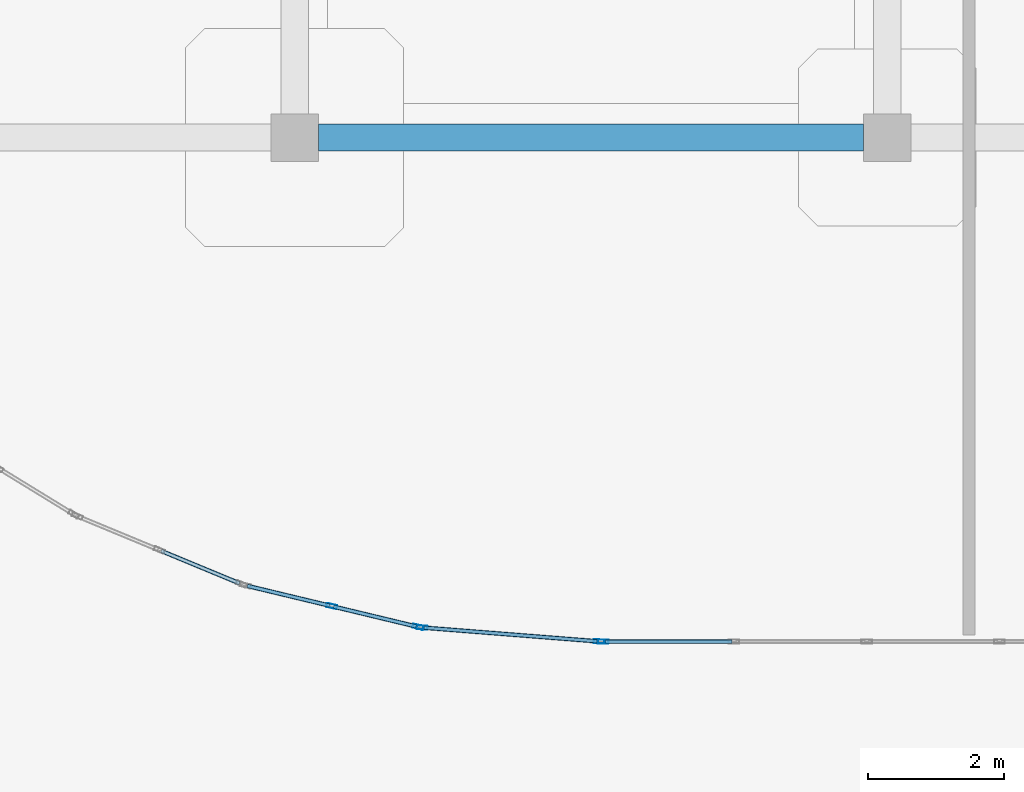
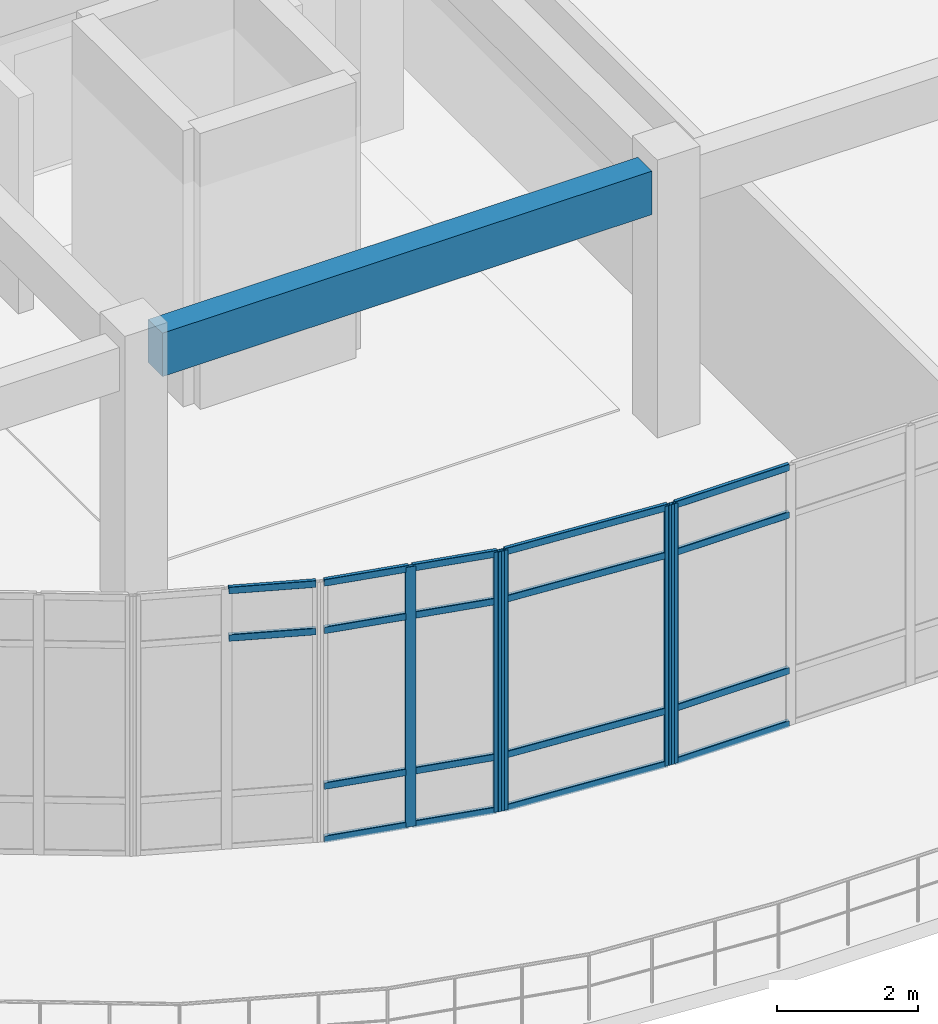
# One storey, part 5 of 64: 23 members, 1 beam, 4 elements without a shape of their own.
"""IFC4 building model written with IfcOpenShell, lengths in metres."""

from ifc_helpers import new_model, si_unit, derived_unit, direction, frame, origin, origin_2d, place, context, subcontext, project, spatial, rectangle, hollow_rectangle, extrude, material, layer, layer_set, material_profile, profile_set, type_object, element, aggregate, save


model = new_model("IFC4")

# Units and contexts
model_context = context("Model", 3, precision=1e-05, world=origin(), true_north=direction((0.0, 1.0)))
body_context = subcontext(model_context, "Body", "Model", "MODEL_VIEW")
ifc_project = project(units=[si_unit("LENGTHUNIT", "METRE"), si_unit("AREAUNIT", "SQUARE_METRE"), si_unit("VOLUMEUNIT", "CUBIC_METRE"), si_unit("PLANEANGLEUNIT", "RADIAN"), si_unit("MASSUNIT", "GRAM", prefix="KILO"), derived_unit("THERMALTRANSMITTANCEUNIT", [(si_unit("MASSUNIT", "GRAM", prefix="KILO"), 1), (si_unit("TIMEUNIT", "SECOND"), -3), (si_unit("THERMODYNAMICTEMPERATUREUNIT", "KELVIN"), -1)])], contexts=[model_context])

# Site, building, storey
site_placement = place(None, origin())
site = spatial("IfcSite", under=ifc_project, at=site_placement, CompositionType="ELEMENT")
building_placement = place(site_placement, origin())
building = spatial("IfcBuilding", under=site, at=building_placement, Name="Qinzheling Arcade Emporium", CompositionType="ELEMENT")
storey_placement = place(building_placement, frame((0.0, 0.0, 31.5)))
storey = spatial("IfcBuildingStorey", under=building, at=storey_placement, Name="L07", CompositionType="ELEMENT", Elevation=31.5)

# Curtain wall, member
ifc_material_1 = material(Name="Anodised aluminium and solar-control double glazing", Category="aluminium")
ifc_layer_1 = layer(ifc_material_1, 0.159912109375, Name="Anodised aluminium and solar-control double glazing", Category="aluminium")
ifc_layer_set_1 = layer_set([ifc_layer_1], Name="Anodised aluminium and solar-control double glazing")
curtain_wall_type_1 = type_object("IfcCurtainWallType", Name="Arcade Portal Glazed Curtain Wall", PredefinedType="NOTDEFINED", material=ifc_layer_set_1)
curtain_wall_1_placement = place(storey_placement, origin())
curtain_wall_1 = element("IfcCurtainWall", 1, at=curtain_wall_1_placement, inside=storey, type_object=curtain_wall_type_1, Name="Curtain Wall CW-L07-400", PredefinedType="NOTDEFINED")
ifc_material_2 = material(Name="Anodised aluminium 6063-T6", Category="aluminium")
ifc_material_profile_1 = material_profile(ifc_material_2, hollow_rectangle(XDim=0.06005859375, YDim=0.159912109375, WallThickness=0.00390625, InnerFilletRadius=0.00390625, OuterFilletRadius=0.008056640625, at=origin_2d()), Name="RHS 160x60x4", Category="aluminium")
ifc_profile_set_1 = profile_set([ifc_material_profile_1], Name="Anodised aluminium 6063-T6")
member_type_1 = type_object("IfcMemberType", Name="Curtain Wall Mullion RHS160x60", PredefinedType="MULLION", material=ifc_profile_set_1)
member_1_placement = place(storey_placement, frame((30.6298828125, 17.800048828125, 0.0), z_axis=(0.0, 0.0, 1.0), x_axis=(0.0, -1.0, 0.0)))
member_1 = element("IfcMember", 2, at=member_1_placement, type_object=member_type_1, Name="CW05 mullion 5", PredefinedType="MULLION", context=body_context, shape_type="SweptSolid", body=[
    extrude(hollow_rectangle(XDim=0.06005859375, YDim=0.159912109375, WallThickness=0.00390625, InnerFilletRadius=0.00390625, OuterFilletRadius=0.008056640625, at=origin_2d()), origin(), (0.0, 0.0, 1.0), 4.489990234375),
])

# Curtain wall, members
curtain_wall_2_placement = place(storey_placement, origin())
curtain_wall_2 = element("IfcCurtainWall", 3, at=curtain_wall_2_placement, inside=storey, type_object=curtain_wall_type_1, Name="Curtain Wall CW-L07-401", PredefinedType="NOTDEFINED")
member_2_placement = place(storey_placement, frame((30.570068359375, 17.80224609375, 0.0), z_axis=(0.0, 0.0, 1.0), x_axis=(-0.07835929421, -0.996925183256, 0.0)))
member_2 = element("IfcMember", 4, at=member_2_placement, type_object=member_type_1, Name="CW05 mullion 1", PredefinedType="MULLION", context=body_context, shape_type="SweptSolid", body=[
    extrude(hollow_rectangle(XDim=0.06005859375, YDim=0.159912109375, WallThickness=0.00390625, InnerFilletRadius=0.00390625, OuterFilletRadius=0.008056640625, at=origin_2d()), origin(), (0.0, 0.0, 1.0), 4.489990234375),
])
member_3_placement = place(storey_placement, frame((27.970947265625, 18.006591796875, 0.0), z_axis=(0.0, 0.0, 1.0), x_axis=(-0.07835929421, -0.996925183256, 0.0)))
member_3 = element("IfcMember", 5, at=member_3_placement, type_object=member_type_1, Name="CW05 mullion 2", PredefinedType="MULLION", context=body_context, shape_type="SweptSolid", body=[
    extrude(hollow_rectangle(XDim=0.06005859375, YDim=0.159912109375, WallThickness=0.00390625, InnerFilletRadius=0.00390625, OuterFilletRadius=0.008056640625, at=origin_2d()), origin(), (0.0, 0.0, 1.0), 4.489990234375),
])

ifc_layer_2 = layer(ifc_material_1, 0.159912109375, Name="Anodised aluminium and solar-control double glazing", Category="aluminium")
ifc_layer_set_2 = layer_set([ifc_layer_2], Name="Anodised aluminium and solar-control double glazing")
curtain_wall_type_2 = type_object("IfcCurtainWallType", Name="Curved Ribbon Sales Curtain Wall", PredefinedType="NOTDEFINED", material=ifc_layer_set_2)
curtain_wall_3_placement = place(storey_placement, origin())
curtain_wall_3 = element("IfcCurtainWall", 6, at=curtain_wall_3_placement, inside=storey, type_object=curtain_wall_type_2, Name="Curtain Wall CW-L07-402", PredefinedType="NOTDEFINED")
member_4_placement = place(storey_placement, frame((27.911865234375, 18.01611328125, 0.0), z_axis=(0.0, 0.0, 1.0), x_axis=(-0.233528898914, -0.97234986161, 0.0)))
member_4 = element("IfcMember", 7, at=member_4_placement, type_object=member_type_1, Name="CW02 mullion 1", PredefinedType="MULLION", context=body_context, shape_type="SweptSolid", body=[
    extrude(hollow_rectangle(XDim=0.06005859375, YDim=0.159912109375, WallThickness=0.00390625, InnerFilletRadius=0.00390625, OuterFilletRadius=0.008056640625, at=origin_2d()), origin(), (0.0, 0.0, 1.0), 4.489990234375),
])
member_5_placement = place(storey_placement, frame((26.64404296875, 18.320556640625, 0.0), z_axis=(0.0, 0.0, 1.0), x_axis=(-0.233528898914, -0.97234986161, 0.0)))
member_5 = element("IfcMember", 8, at=member_5_placement, type_object=member_type_1, Name="CW02 mullion 2", PredefinedType="MULLION", context=body_context, shape_type="SweptSolid", body=[
    extrude(hollow_rectangle(XDim=0.06005859375, YDim=0.159912109375, WallThickness=0.00390625, InnerFilletRadius=0.00390625, OuterFilletRadius=0.008056640625, at=origin_2d()), origin(), (0.0, 0.0, 1.0), 4.489990234375),
])

# Member
ifc_material_profile_2 = material_profile(ifc_material_2, hollow_rectangle(XDim=0.06005859375, YDim=0.1201171875, WallThickness=0.00390625, InnerFilletRadius=0.00390625, OuterFilletRadius=0.008056640625, at=origin_2d()), Name="RHS 120x60x4", Category="aluminium")
ifc_profile_set_2 = profile_set([ifc_material_profile_2], Name="Anodised aluminium 6063-T6")
member_type_2 = type_object("IfcMemberType", Name="Curtain Wall Transom RHS120x60", PredefinedType="USERDEFINED", material=ifc_profile_set_2)
member_6_placement = place(storey_placement, frame((32.51953125, 17.800048828125, 0.030029296875), z_axis=(-1.0, 0.0, 0.0), x_axis=(0.0, -1.0, 0.0)))
member_6 = element("IfcMember", 9, at=member_6_placement, type_object=member_type_2, Name="CW05 transom 4.1", ObjectType="TRANSOM", PredefinedType="USERDEFINED", context=body_context, shape_type="SweptSolid", body=[
    extrude(hollow_rectangle(XDim=0.06005859375, YDim=0.1201171875, WallThickness=0.00390625, InnerFilletRadius=0.00390625, OuterFilletRadius=0.008056640625, at=origin_2d()), origin(), (0.0, 0.0, 1.0), 1.859619140625),
])

member_7_placement = place(storey_placement, frame((32.51953125, 17.800048828125, 0.949951171875), z_axis=(-1.0, 0.0, 0.0), x_axis=(0.0, -1.0, 0.0)))
member_7 = element("IfcMember", 10, at=member_7_placement, type_object=member_type_2, Name="CW05 transom 4.2", ObjectType="TRANSOM", PredefinedType="USERDEFINED", context=body_context, shape_type="SweptSolid", body=[
    extrude(hollow_rectangle(XDim=0.06005859375, YDim=0.1201171875, WallThickness=0.00390625, InnerFilletRadius=0.00390625, OuterFilletRadius=0.008056640625, at=origin_2d()), origin(), (0.0, 0.0, 1.0), 1.859619140625),
])

member_8_placement = place(storey_placement, frame((32.51953125, 17.800048828125, 3.639892578125), z_axis=(-1.0, 0.0, 0.0), x_axis=(0.0, -1.0, 0.0)))
member_8 = element("IfcMember", 11, at=member_8_placement, type_object=member_type_2, Name="CW05 transom 4.3", ObjectType="TRANSOM", PredefinedType="USERDEFINED", context=body_context, shape_type="SweptSolid", body=[
    extrude(hollow_rectangle(XDim=0.06005859375, YDim=0.1201171875, WallThickness=0.00390625, InnerFilletRadius=0.00390625, OuterFilletRadius=0.008056640625, at=origin_2d()), origin(), (0.0, 0.0, 1.0), 1.859619140625),
])

member_9_placement = place(storey_placement, frame((32.51953125, 17.800048828125, 4.4599609375), z_axis=(-1.0, 0.0, 0.0), x_axis=(0.0, -1.0, 0.0)))
member_9 = element("IfcMember", 12, at=member_9_placement, type_object=member_type_2, Name="CW05 transom 4.4", ObjectType="TRANSOM", PredefinedType="USERDEFINED", context=body_context, shape_type="SweptSolid", body=[
    extrude(hollow_rectangle(XDim=0.06005859375, YDim=0.1201171875, WallThickness=0.00390625, InnerFilletRadius=0.00390625, OuterFilletRadius=0.008056640625, at=origin_2d()), origin(), (0.0, 0.0, 1.0), 1.859619140625),
])

aggregate(curtain_wall_1, [member_1, member_6, member_7, member_8, member_9])

member_10_placement = place(storey_placement, frame((30.540283203125, 17.8046875, 0.030029296875), z_axis=(-0.996922243013, 0.078396692442, 0.0), x_axis=(-0.078396692442, -0.996922243013, 0.0)))
member_10 = element("IfcMember", 13, at=member_10_placement, type_object=member_type_2, Name="CW05 transom 1.1", ObjectType="TRANSOM", PredefinedType="USERDEFINED", context=body_context, shape_type="SweptSolid", body=[
    extrude(hollow_rectangle(XDim=0.06005859375, YDim=0.1201171875, WallThickness=0.00390625, InnerFilletRadius=0.00390625, OuterFilletRadius=0.008056640625, at=origin_2d()), origin(), (0.0, 0.0, 1.0), 2.54736328125),
])

member_11_placement = place(storey_placement, frame((30.540283203125, 17.8046875, 0.949951171875), z_axis=(-0.996922243013, 0.078396692442, 0.0), x_axis=(-0.078396692442, -0.996922243013, 0.0)))
member_11 = element("IfcMember", 14, at=member_11_placement, type_object=member_type_2, Name="CW05 transom 1.2", ObjectType="TRANSOM", PredefinedType="USERDEFINED", context=body_context, shape_type="SweptSolid", body=[
    extrude(hollow_rectangle(XDim=0.06005859375, YDim=0.1201171875, WallThickness=0.00390625, InnerFilletRadius=0.00390625, OuterFilletRadius=0.008056640625, at=origin_2d()), origin(), (0.0, 0.0, 1.0), 2.54736328125),
])

member_12_placement = place(storey_placement, frame((30.540283203125, 17.8046875, 3.639892578125), z_axis=(-0.996922243013, 0.078396692442, 0.0), x_axis=(-0.078396692442, -0.996922243013, 0.0)))
member_12 = element("IfcMember", 15, at=member_12_placement, type_object=member_type_2, Name="CW05 transom 1.3", ObjectType="TRANSOM", PredefinedType="USERDEFINED", context=body_context, shape_type="SweptSolid", body=[
    extrude(hollow_rectangle(XDim=0.06005859375, YDim=0.1201171875, WallThickness=0.00390625, InnerFilletRadius=0.00390625, OuterFilletRadius=0.008056640625, at=origin_2d()), origin(), (0.0, 0.0, 1.0), 2.54736328125),
])

member_13_placement = place(storey_placement, frame((30.540283203125, 17.8046875, 4.4599609375), z_axis=(-0.996922243013, 0.078396692442, 0.0), x_axis=(-0.078396692442, -0.996922243013, 0.0)))
member_13 = element("IfcMember", 16, at=member_13_placement, type_object=member_type_2, Name="CW05 transom 1.4", ObjectType="TRANSOM", PredefinedType="USERDEFINED", context=body_context, shape_type="SweptSolid", body=[
    extrude(hollow_rectangle(XDim=0.06005859375, YDim=0.1201171875, WallThickness=0.00390625, InnerFilletRadius=0.00390625, OuterFilletRadius=0.008056640625, at=origin_2d()), origin(), (0.0, 0.0, 1.0), 2.54736328125),
])

aggregate(curtain_wall_2, [member_2, member_3, member_10, member_11, member_12, member_13])

member_14_placement = place(storey_placement, frame((27.882568359375, 18.02294921875, 0.030029296875), z_axis=(-0.972340960995, 0.233565955507, 0.0), x_axis=(-0.233565955507, -0.972340960995, 0.0)))
member_14 = element("IfcMember", 17, at=member_14_placement, type_object=member_type_2, Name="CW02 transom 1.1", ObjectType="TRANSOM", PredefinedType="USERDEFINED", context=body_context, shape_type="SweptSolid", body=[
    extrude(hollow_rectangle(XDim=0.06005859375, YDim=0.1201171875, WallThickness=0.00390625, InnerFilletRadius=0.00390625, OuterFilletRadius=0.008056640625, at=origin_2d()), origin(), (0.0, 0.0, 1.0), 1.243896484375),
])

member_15_placement = place(storey_placement, frame((27.882568359375, 18.02294921875, 0.949951171875), z_axis=(-0.972340960995, 0.233565955507, 0.0), x_axis=(-0.233565955507, -0.972340960995, 0.0)))
member_15 = element("IfcMember", 18, at=member_15_placement, type_object=member_type_2, Name="CW02 transom 1.2", ObjectType="TRANSOM", PredefinedType="USERDEFINED", context=body_context, shape_type="SweptSolid", body=[
    extrude(hollow_rectangle(XDim=0.06005859375, YDim=0.1201171875, WallThickness=0.00390625, InnerFilletRadius=0.00390625, OuterFilletRadius=0.008056640625, at=origin_2d()), origin(), (0.0, 0.0, 1.0), 1.243896484375),
])

member_16_placement = place(storey_placement, frame((27.882568359375, 18.02294921875, 3.639892578125), z_axis=(-0.972340960995, 0.233565955507, 0.0), x_axis=(-0.233565955507, -0.972340960995, 0.0)))
member_16 = element("IfcMember", 19, at=member_16_placement, type_object=member_type_2, Name="CW02 transom 1.3", ObjectType="TRANSOM", PredefinedType="USERDEFINED", context=body_context, shape_type="SweptSolid", body=[
    extrude(hollow_rectangle(XDim=0.06005859375, YDim=0.1201171875, WallThickness=0.00390625, InnerFilletRadius=0.00390625, OuterFilletRadius=0.008056640625, at=origin_2d()), origin(), (0.0, 0.0, 1.0), 1.243896484375),
])

member_17_placement = place(storey_placement, frame((27.882568359375, 18.02294921875, 4.4599609375), z_axis=(-0.972340960995, 0.233565955507, 0.0), x_axis=(-0.233565955507, -0.972340960995, 0.0)))
member_17 = element("IfcMember", 20, at=member_17_placement, type_object=member_type_2, Name="CW02 transom 1.4", ObjectType="TRANSOM", PredefinedType="USERDEFINED", context=body_context, shape_type="SweptSolid", body=[
    extrude(hollow_rectangle(XDim=0.06005859375, YDim=0.1201171875, WallThickness=0.00390625, InnerFilletRadius=0.00390625, OuterFilletRadius=0.008056640625, at=origin_2d()), origin(), (0.0, 0.0, 1.0), 1.243896484375),
])

member_18_placement = place(storey_placement, frame((26.61474609375, 18.327392578125, 0.030029296875), z_axis=(-0.972340960995, 0.233565955507, 0.0), x_axis=(-0.233565955507, -0.972340960995, 0.0)))
member_18 = element("IfcMember", 21, at=member_18_placement, type_object=member_type_2, Name="CW02 transom 2.1", ObjectType="TRANSOM", PredefinedType="USERDEFINED", context=body_context, shape_type="SweptSolid", body=[
    extrude(hollow_rectangle(XDim=0.06005859375, YDim=0.1201171875, WallThickness=0.00390625, InnerFilletRadius=0.00390625, OuterFilletRadius=0.008056640625, at=origin_2d()), origin(), (0.0, 0.0, 1.0), 1.243896484375),
])

member_19_placement = place(storey_placement, frame((26.61474609375, 18.327392578125, 0.949951171875), z_axis=(-0.972340960995, 0.233565955507, 0.0), x_axis=(-0.233565955507, -0.972340960995, 0.0)))
member_19 = element("IfcMember", 22, at=member_19_placement, type_object=member_type_2, Name="CW02 transom 2.2", ObjectType="TRANSOM", PredefinedType="USERDEFINED", context=body_context, shape_type="SweptSolid", body=[
    extrude(hollow_rectangle(XDim=0.06005859375, YDim=0.1201171875, WallThickness=0.00390625, InnerFilletRadius=0.00390625, OuterFilletRadius=0.008056640625, at=origin_2d()), origin(), (0.0, 0.0, 1.0), 1.243896484375),
])

member_20_placement = place(storey_placement, frame((26.61474609375, 18.327392578125, 3.639892578125), z_axis=(-0.972340960995, 0.233565955507, 0.0), x_axis=(-0.233565955507, -0.972340960995, 0.0)))
member_20 = element("IfcMember", 23, at=member_20_placement, type_object=member_type_2, Name="CW02 transom 2.3", ObjectType="TRANSOM", PredefinedType="USERDEFINED", context=body_context, shape_type="SweptSolid", body=[
    extrude(hollow_rectangle(XDim=0.06005859375, YDim=0.1201171875, WallThickness=0.00390625, InnerFilletRadius=0.00390625, OuterFilletRadius=0.008056640625, at=origin_2d()), origin(), (0.0, 0.0, 1.0), 1.243896484375),
])

member_21_placement = place(storey_placement, frame((26.61474609375, 18.327392578125, 4.4599609375), z_axis=(-0.972340960995, 0.233565955507, 0.0), x_axis=(-0.233565955507, -0.972340960995, 0.0)))
member_21 = element("IfcMember", 24, at=member_21_placement, type_object=member_type_2, Name="CW02 transom 2.4", ObjectType="TRANSOM", PredefinedType="USERDEFINED", context=body_context, shape_type="SweptSolid", body=[
    extrude(hollow_rectangle(XDim=0.06005859375, YDim=0.1201171875, WallThickness=0.00390625, InnerFilletRadius=0.00390625, OuterFilletRadius=0.008056640625, at=origin_2d()), origin(), (0.0, 0.0, 1.0), 1.243896484375),
])

aggregate(curtain_wall_3, [member_4, member_5, member_14, member_15, member_16, member_17, member_18, member_19, member_20, member_21])

# Curtain wall, members
curtain_wall_4_placement = place(storey_placement, origin())
curtain_wall_4 = element("IfcCurtainWall", 25, at=curtain_wall_4_placement, inside=storey, type_object=curtain_wall_type_2, Name="Curtain Wall CW-L07-403", PredefinedType="NOTDEFINED")
member_22_placement = place(storey_placement, frame((25.29150390625, 18.655029296875, 3.639892578125), z_axis=(-0.923858937936, 0.382733148285, 0.0), x_axis=(-0.382733148285, -0.923858937936, 0.0)))
member_22 = element("IfcMember", 26, at=member_22_placement, type_object=member_type_2, Name="CW02 transom 1.3", ObjectType="TRANSOM", PredefinedType="USERDEFINED", context=body_context, shape_type="SweptSolid", body=[
    extrude(hollow_rectangle(XDim=0.06005859375, YDim=0.1201171875, WallThickness=0.00390625, InnerFilletRadius=0.00390625, OuterFilletRadius=0.008056640625, at=origin_2d()), origin(), (0.0, 0.0, 1.0), 1.243896484375),
])
member_23_placement = place(storey_placement, frame((25.29150390625, 18.655029296875, 4.4599609375), z_axis=(-0.923858937936, 0.382733148285, 0.0), x_axis=(-0.382733148285, -0.923858937936, 0.0)))
member_23 = element("IfcMember", 27, at=member_23_placement, type_object=member_type_2, Name="CW02 transom 1.4", ObjectType="TRANSOM", PredefinedType="USERDEFINED", context=body_context, shape_type="SweptSolid", body=[
    extrude(hollow_rectangle(XDim=0.06005859375, YDim=0.1201171875, WallThickness=0.00390625, InnerFilletRadius=0.00390625, OuterFilletRadius=0.008056640625, at=origin_2d()), origin(), (0.0, 0.0, 1.0), 1.243896484375),
])
aggregate(curtain_wall_4, [member_22, member_23])

# Beam
ifc_material_3 = material(Name="Concrete C40", Category="concrete")
ifc_material_profile_3 = material_profile(ifc_material_3, rectangle(XDim=0.39990234375, YDim=0.75, at=origin_2d()), Name="RC 400x750", Category="concrete")
ifc_profile_set_3 = profile_set([ifc_material_profile_3], Name="Concrete C40")
beam_type = type_object("IfcBeamType", Name="RC Interior Tie Beam 400x750 C40", PredefinedType="BEAM", material=ifc_profile_set_3)
beam_placement = place(storey_placement, frame((26.449951171875, 25.199951171875, 4.14501953125), z_axis=(1.0, 0.0, 0.0), x_axis=(0.0, 1.0, 0.0)))
element("IfcBeam", 28, at=beam_placement, inside=storey, type_object=beam_type, Name="Beam BM-L07-X-D-4", PredefinedType="BEAM", context=body_context, shape_type="SweptSolid", body=[
    extrude(rectangle(XDim=0.39990234375, YDim=0.75, at=origin_2d()), origin(), (0.0, 0.0, 1.0), 8.0),
])

save(model, "model.ifc")
